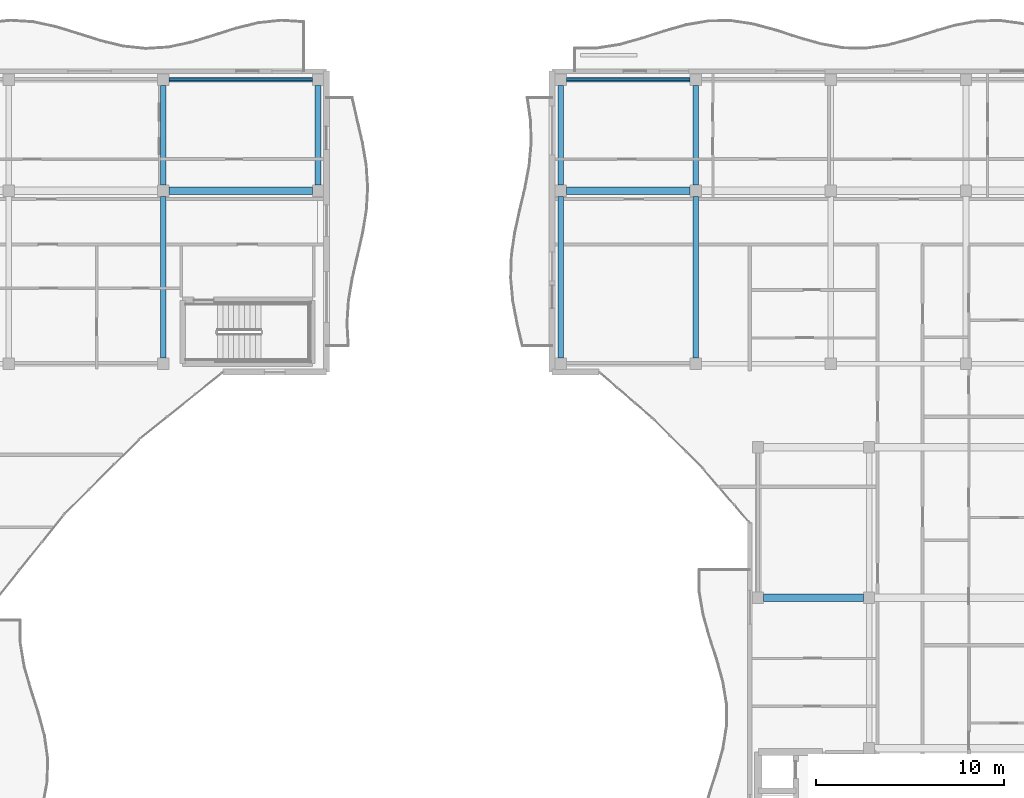
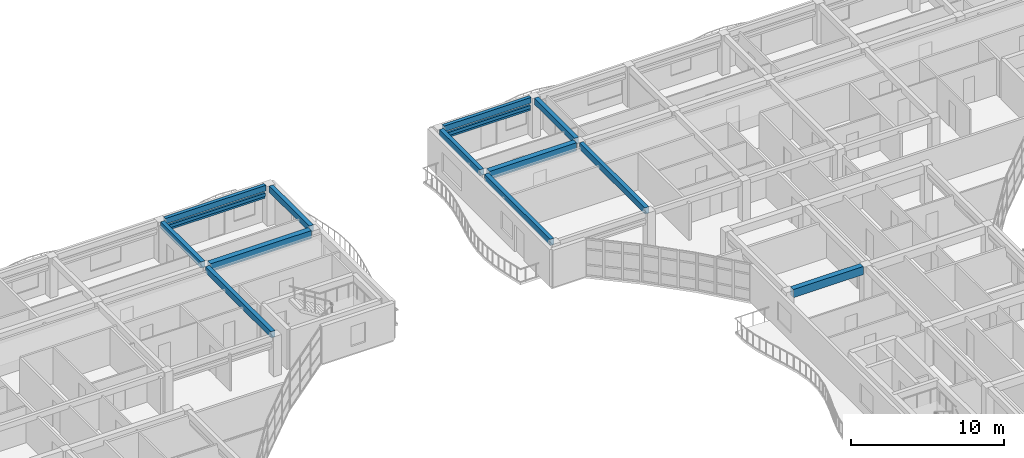
# One storey, part 10 of 72: 12 beams, 4 members.
"""IFC4 building model written with IfcOpenShell, lengths in metres."""

from ifc_helpers import new_model, si_unit, direction, frame, origin, origin_2d, place, context, subcontext, project, spatial, rectangle, hollow_rectangle, extrude, material, material_profile, profile_set, type_object, element, save


model = new_model("IFC4")

# Units and contexts
model_context = context("Model", 3, precision=1e-05, world=origin(), true_north=direction((0.0, 1.0)))
body_context = subcontext(model_context, "Body", "Model", "MODEL_VIEW")
ifc_project = project(units=[si_unit("LENGTHUNIT", "METRE"), si_unit("AREAUNIT", "SQUARE_METRE"), si_unit("VOLUMEUNIT", "CUBIC_METRE"), si_unit("PLANEANGLEUNIT", "RADIAN"), si_unit("MASSUNIT", "GRAM", prefix="KILO")], contexts=[model_context])

# Site, building, storey
site_placement = place(None, origin())
site = spatial("IfcSite", under=ifc_project, at=site_placement, CompositionType="ELEMENT")
building_placement = place(site_placement, origin())
building = spatial("IfcBuilding", under=site, at=building_placement, Name="Keldmere Railside Commons", CompositionType="ELEMENT")
storey_placement = place(building_placement, frame((0.0, 0.0, 16.9599609375)))
storey = spatial("IfcBuildingStorey", under=building, at=storey_placement, Name="L05", CompositionType="ELEMENT", Elevation=16.9599609375)

# Members
ifc_material_1 = material(Name="Steel F-36 (S355)", Category="steel")
ifc_material_profile_1 = material_profile(ifc_material_1, hollow_rectangle(XDim=0.14990234375, YDim=0.25, WallThickness=0.010009765625, at=origin_2d()), Name="RHS-250x150x10")
ifc_profile_set_1 = profile_set([ifc_material_profile_1], Name="Steel F-36 (S355)")
member_type_1 = type_object("IfcMemberType", Name="Balcony Continuous Planted Trough RHS250x150", PredefinedType="CHORD", material=ifc_profile_set_1)
member_1_placement = place(storey_placement, frame((73.1298828125, 115.550048828125, 2.4150390625), z_axis=(1.0, 0.0, 0.0), x_axis=(0.0, 1.0, 0.0)))
element("IfcMember", 1, at=member_1_placement, inside=storey, type_object=member_type_1, Name="PLT-1 MEM-BPLT-0595", PredefinedType="CHORD", context=body_context, shape_type="SweptSolid", body=[
    extrude(hollow_rectangle(XDim=0.14990234375, YDim=0.25, WallThickness=0.010009765625, at=origin_2d()), origin(), (0.0, 0.0, 1.0), 7.6201171875),
])
member_2_placement = place(storey_placement, frame((94.25, 115.550048828125, 2.4150390625), z_axis=(1.0, 0.0, 0.0), x_axis=(0.0, 1.0, 0.0)))
element("IfcMember", 2, at=member_2_placement, inside=storey, type_object=member_type_1, Name="PLT-1 MEM-BPLT-0621", PredefinedType="CHORD", context=body_context, shape_type="SweptSolid", body=[
    extrude(hollow_rectangle(XDim=0.14990234375, YDim=0.25, WallThickness=0.010009765625, at=origin_2d()), origin(), (0.0, 0.0, 1.0), 6.5830078125),
])

# Beams
ifc_material_2 = material(Name="Architectural Precast Concrete H-35 (C35/45)", Category="concrete")
ifc_material_profile_2 = material_profile(ifc_material_2, rectangle(XDim=0.25, YDim=0.449951171875, at=origin_2d()), Name="RC-250x450")
ifc_profile_set_2 = profile_set([ifc_material_profile_2], Name="Architectural Precast Concrete H-35 (C35/45)")
beam_type_1 = type_object("IfcBeamType", Name="Perimeter Precast Spandrel Beam 250x450", PredefinedType="SPANDREL", material=ifc_profile_set_2)
beam_1_placement = place(storey_placement, frame((73.1298828125, 115.550048828125, 2.97509765625), z_axis=(1.0, 0.0, 0.0), x_axis=(0.0, 1.0, 0.0)))
element("IfcBeam", 3, at=beam_1_placement, inside=storey, type_object=beam_type_1, Name="SPB-1 BM-L05-1764", PredefinedType="SPANDREL", context=body_context, shape_type="SweptSolid", body=[
    extrude(rectangle(XDim=0.25, YDim=0.449951171875, at=origin_2d()), origin(), (0.0, 0.0, 1.0), 7.6201171875),
])
beam_2_placement = place(storey_placement, frame((94.25, 115.550048828125, 2.97509765625), z_axis=(1.0, 0.0, 0.0), x_axis=(0.0, 1.0, 0.0)))
element("IfcBeam", 4, at=beam_2_placement, inside=storey, type_object=beam_type_1, Name="SPB-1 BM-L05-1765", PredefinedType="SPANDREL", context=body_context, shape_type="SweptSolid", body=[
    extrude(rectangle(XDim=0.25, YDim=0.449951171875, at=origin_2d()), origin(), (0.0, 0.0, 1.0), 6.5830078125),
])
ifc_material_3 = material(Name="Concrete H-30 (C30/37)", Category="concrete")
ifc_material_profile_3 = material_profile(ifc_material_3, rectangle(XDim=0.39990234375, YDim=0.64990234375, at=origin_2d()), Name="RC-400x650")
ifc_profile_set_3 = profile_set([ifc_material_profile_3], Name="Concrete H-30 (C30/37)")
beam_type_2 = type_object("IfcBeamType", Name="Residential Spine RC Girder 400x650", PredefinedType="BEAM", material=ifc_profile_set_3)
beam_3_placement = place(storey_placement, frame((104.75, 88.0, 2.875), z_axis=(1.0, 0.0, 0.0), x_axis=(0.0, 1.0, 0.0)))
element("IfcBeam", 5, at=beam_3_placement, inside=storey, type_object=beam_type_2, Name="BG-3 BM-L05-1716", PredefinedType="BEAM", context=body_context, shape_type="SweptSolid", body=[
    extrude(rectangle(XDim=0.39990234375, YDim=0.64990234375, at=origin_2d()), origin(), (0.0, 0.0, 1.0), 5.300048828125),
])
beam_4_placement = place(storey_placement, frame((73.1298828125, 109.64990234375, 2.875), z_axis=(1.0, 0.0, 0.0), x_axis=(0.0, 1.0, 0.0)))
element("IfcBeam", 6, at=beam_4_placement, inside=storey, type_object=beam_type_2, Name="BG-3 BM-L05-1745", PredefinedType="BEAM", context=body_context, shape_type="SweptSolid", body=[
    extrude(rectangle(XDim=0.39990234375, YDim=0.64990234375, at=origin_2d()), origin(), (0.0, 0.0, 1.0), 7.6201171875),
])
beam_5_placement = place(storey_placement, frame((94.25, 109.64990234375, 2.875), z_axis=(1.0, 0.0, 0.0), x_axis=(0.0, 1.0, 0.0)))
element("IfcBeam", 7, at=beam_5_placement, inside=storey, type_object=beam_type_2, Name="BG-3 BM-L05-1746", PredefinedType="BEAM", context=body_context, shape_type="SweptSolid", body=[
    extrude(rectangle(XDim=0.39990234375, YDim=0.64990234375, at=origin_2d()), origin(), (0.0, 0.0, 1.0), 6.5830078125),
])
ifc_material_profile_4 = material_profile(ifc_material_3, rectangle(XDim=0.300048828125, YDim=0.5, at=origin_2d()), Name="RC-300x500")
ifc_profile_set_4 = profile_set([ifc_material_profile_4], Name="Concrete H-30 (C30/37)")
beam_type_3 = type_object("IfcBeamType", Name="Secondary Frame RC Beam 300x500", PredefinedType="BEAM", material=ifc_profile_set_4)
beam_6_placement = place(storey_placement, frame((72.830078125, 100.75, 2.949951171875), z_axis=(0.0, 1.0, 0.0), x_axis=(-1.0, 0.0, 0.0)))
element("IfcBeam", 8, at=beam_6_placement, inside=storey, type_object=beam_type_3, Name="BG-5 BM-L05-1811", PredefinedType="BEAM", context=body_context, shape_type="SweptSolid", body=[
    extrude(rectangle(XDim=0.300048828125, YDim=0.5, at=origin_2d()), origin(), (0.0, 0.0, 1.0), 8.60009765625),
])
for number, where, z_axis, x_axis, name in (
    (9, (72.830078125, 109.949951171875, 2.949951171875), (0.0, 1.0, 0.0), (-1.0, 0.0, 0.0), "BG-5 BM-L05-1812"),
    (10, (81.050048828125, 109.949951171875, 2.949951171875), (0.0, 1.0, 0.0), (-1.0, 0.0, 0.0), "BG-5 BM-L05-1813"),
):
    element("IfcBeam", number, at=place(storey_placement, frame(where, z_axis=z_axis, x_axis=x_axis)), inside=storey, type_object=beam_type_3, Name=name, PredefinedType="BEAM", context=body_context, shape_type="SweptSolid", body=[
        extrude(rectangle(XDim=0.300048828125, YDim=0.5, at=origin_2d()), origin(), (0.0, 0.0, 1.0), 5.300048828125),
    ])
beam_7_placement = place(storey_placement, frame((93.949951171875, 100.75, 2.949951171875), z_axis=(0.0, 1.0, 0.0), x_axis=(-1.0, 0.0, 0.0)))
element("IfcBeam", 11, at=beam_7_placement, inside=storey, type_object=beam_type_3, Name="BG-5 BM-L05-1814", PredefinedType="BEAM", context=body_context, shape_type="SweptSolid", body=[
    extrude(rectangle(XDim=0.300048828125, YDim=0.5, at=origin_2d()), origin(), (0.0, 0.0, 1.0), 8.60009765625),
])
beam_8_placement = place(storey_placement, frame((93.949951171875, 109.949951171875, 2.949951171875), z_axis=(0.0, 1.0, 0.0), x_axis=(-1.0, 0.0, 0.0)))
element("IfcBeam", 12, at=beam_8_placement, inside=storey, type_object=beam_type_3, Name="BG-5 BM-L05-1815", PredefinedType="BEAM", context=body_context, shape_type="SweptSolid", body=[
    extrude(rectangle(XDim=0.300048828125, YDim=0.5, at=origin_2d()), origin(), (0.0, 0.0, 1.0), 5.300048828125),
])
beam_9_placement = place(storey_placement, frame((101.133056640625, 100.75, 2.949951171875), z_axis=(0.0, 1.0, 0.0), x_axis=(-1.0, 0.0, 0.0)))
element("IfcBeam", 13, at=beam_9_placement, inside=storey, type_object=beam_type_3, Name="BG-5 BM-L05-1816", PredefinedType="BEAM", context=body_context, shape_type="SweptSolid", body=[
    extrude(rectangle(XDim=0.300048828125, YDim=0.5, at=origin_2d()), origin(), (0.0, 0.0, 1.0), 8.60009765625),
])
beam_10_placement = place(storey_placement, frame((101.133056640625, 109.949951171875, 2.949951171875), z_axis=(0.0, 1.0, 0.0), x_axis=(-1.0, 0.0, 0.0)))
element("IfcBeam", 14, at=beam_10_placement, inside=storey, type_object=beam_type_3, Name="BG-5 BM-L05-1817", PredefinedType="BEAM", context=body_context, shape_type="SweptSolid", body=[
    extrude(rectangle(XDim=0.300048828125, YDim=0.5, at=origin_2d()), origin(), (0.0, 0.0, 1.0), 5.300048828125),
])

# Members
ifc_material_profile_5 = material_profile(ifc_material_1, hollow_rectangle(XDim=0.10009765625, YDim=0.159912109375, WallThickness=0.008056640625, at=origin_2d()), Name="RHS-160x100x8")
ifc_profile_set_5 = profile_set([ifc_material_profile_5], Name="Steel F-36 (S355)")
member_type_2 = type_object("IfcMemberType", Name="Solar Brise-Soleil Louvre Fin RHS160x100", PredefinedType="STRUT", material=ifc_profile_set_5)
member_3_placement = place(storey_placement, frame((73.1298828125, 115.550048828125, 2.199951171875), z_axis=(1.0, 0.0, 0.0), x_axis=(0.0, 1.0, 0.0)))
element("IfcMember", 15, at=member_3_placement, inside=storey, type_object=member_type_2, Name="BSF-1 MEM-BSF-0596", PredefinedType="STRUT", context=body_context, shape_type="SweptSolid", body=[
    extrude(hollow_rectangle(XDim=0.10009765625, YDim=0.159912109375, WallThickness=0.008056640625, at=origin_2d()), origin(), (0.0, 0.0, 1.0), 7.6201171875),
])
member_4_placement = place(storey_placement, frame((94.25, 115.550048828125, 2.199951171875), z_axis=(1.0, 0.0, 0.0), x_axis=(0.0, 1.0, 0.0)))
element("IfcMember", 16, at=member_4_placement, inside=storey, type_object=member_type_2, Name="BSF-1 MEM-BSF-0622", PredefinedType="STRUT", context=body_context, shape_type="SweptSolid", body=[
    extrude(hollow_rectangle(XDim=0.10009765625, YDim=0.159912109375, WallThickness=0.008056640625, at=origin_2d()), origin(), (0.0, 0.0, 1.0), 6.5830078125),
])

save(model, "model.ifc")
